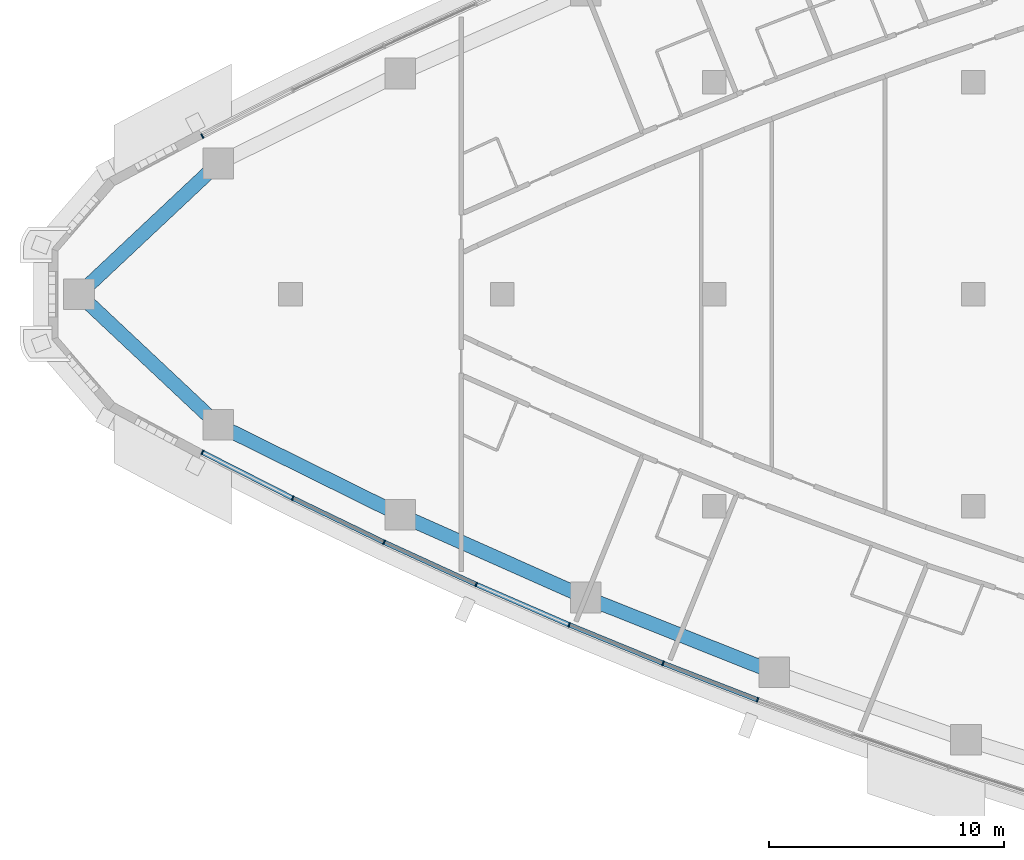
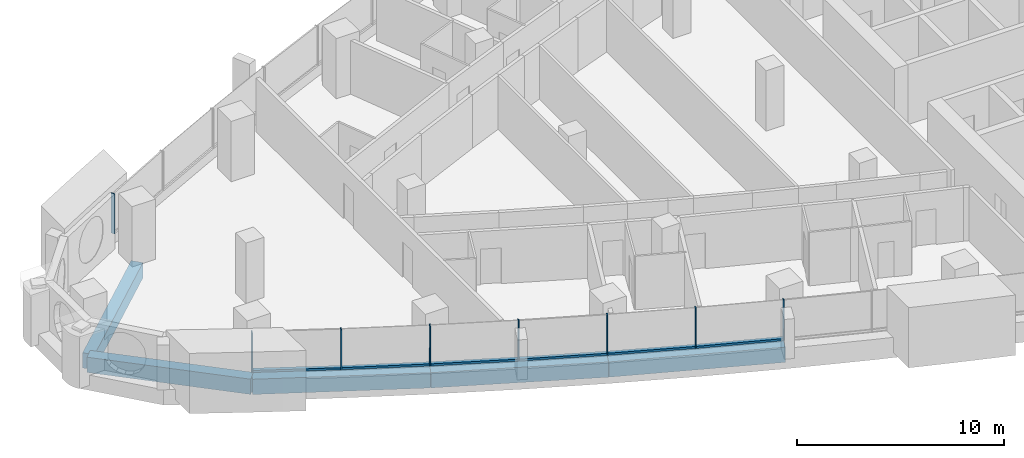
# One storey, part 2 of 17: 14 members, 5 beams, 4 elements without a shape of their own.
"""IFC4 building model written with IfcOpenShell, lengths in metres."""

from ifc_helpers import new_model, si_unit, direction, frame, origin, origin_2d, place, context, subcontext, project, spatial, rectangle, extrude, material, layer, layer_set, material_profile, profile_set, type_object, element, aggregate, save


model = new_model("IFC4")

# Units and contexts
model_context = context("Model", 3, precision=1e-05, world=origin(), true_north=direction((0.0, 1.0)))
body_context = subcontext(model_context, "Body", "Model", "MODEL_VIEW")
ifc_project = project(units=[si_unit("LENGTHUNIT", "METRE"), si_unit("AREAUNIT", "SQUARE_METRE"), si_unit("VOLUMEUNIT", "CUBIC_METRE"), si_unit("PLANEANGLEUNIT", "RADIAN"), si_unit("MASSUNIT", "GRAM", prefix="KILO")], contexts=[model_context])

# Site, building, storey
site_placement = place(None, origin())
site = spatial("IfcSite", under=ifc_project, at=site_placement, CompositionType="ELEMENT")
building_placement = place(site_placement, origin())
building = spatial("IfcBuilding", under=site, at=building_placement, Name="Ostrand Prow Hotel Tower", CompositionType="ELEMENT")
storey_placement = place(building_placement, frame((0.0, 0.0, 207.449951171875)))
storey = spatial("IfcBuildingStorey", under=building, at=storey_placement, Name="L52", CompositionType="ELEMENT", Elevation=207.449951171875)

# Beams
ifc_material_1 = material(Name="Concrete C60/75", Category="concrete")
ifc_material_profile_1 = material_profile(ifc_material_1, rectangle(XDim=0.60009765625, YDim=0.89990234375, at=origin_2d()), Name="RC 600x900")
ifc_profile_set_1 = profile_set([ifc_material_profile_1], Name="Concrete C60/75")
beam_type = type_object("IfcBeamType", Name="Edge beam 600x900 C60/75", PredefinedType="SPANDREL", material=ifc_profile_set_1)
beam_1_placement = place(storey_placement, frame((7.01708984375, 0.0, -0.75), z_axis=(0.728960507808, -0.684555752336, 0.0), x_axis=(0.684555752336, 0.728960507808, 0.0)))
element("IfcBeam", 1, at=beam_1_placement, inside=storey, type_object=beam_type, Name="Edge beam P-S1", PredefinedType="SPANDREL", context=body_context, shape_type="SweptSolid", body=[
    extrude(rectangle(XDim=0.60009765625, YDim=0.89990234375, at=origin_2d()), origin(), (0.0, 0.0, 1.0), 8.109619140625),
])
beam_2_placement = place(storey_placement, frame((12.9287109375, -5.551513671875, -0.75), z_axis=(0.896383774903, -0.443278837856, 0.0), x_axis=(0.443278837856, 0.896383774903, 0.0)))
element("IfcBeam", 2, at=beam_2_placement, inside=storey, type_object=beam_type, Name="Edge beam S1-S2", PredefinedType="SPANDREL", context=body_context, shape_type="SweptSolid", body=[
    extrude(rectangle(XDim=0.60009765625, YDim=0.89990234375, at=origin_2d()), origin(), (0.0, 0.0, 1.0), 8.62158203125),
])
for number, where, z_axis, x_axis, name in (
    (3, (20.656982421875, -9.373291015625, -0.75), (0.91364332073, -0.406516767779, 0.0), (0.406516767779, 0.91364332073, 0.0), "Edge beam S2-S3"),
    (4, (28.5341796875, -12.878173828125, -0.75), (0.929376173753, -0.36913402398, 0.0), (0.36913402398, 0.929376173753, 0.0), "Edge beam S3-S4"),
):
    element("IfcBeam", number, at=place(storey_placement, frame(where, z_axis=z_axis, x_axis=x_axis)), inside=storey, type_object=beam_type, Name=name, PredefinedType="SPANDREL", context=body_context, shape_type="SweptSolid", body=[
        extrude(rectangle(XDim=0.60009765625, YDim=0.89990234375, at=origin_2d()), origin(), (0.0, 0.0, 1.0), 8.621826171875),
    ])
beam_3_placement = place(storey_placement, frame((12.9287109375, 5.551513671875, -0.75), z_axis=(-0.728960507808, -0.684555752336, 0.0), x_axis=(0.684555752336, -0.728960507808, 0.0)))
element("IfcBeam", 5, at=beam_3_placement, inside=storey, type_object=beam_type, Name="Edge beam N6-P", PredefinedType="SPANDREL", context=body_context, shape_type="SweptSolid", body=[
    extrude(rectangle(XDim=0.60009765625, YDim=0.89990234375, at=origin_2d()), origin(), (0.0, 0.0, 1.0), 8.109619140625),
])

# Curtain wall, members
ifc_material_2 = material(Name="Insulated glass in bronze anodised frame", Category="glass")
ifc_layer = layer(ifc_material_2, 0.199951171875)
ifc_layer_set = layer_set([ifc_layer], Name="Insulated glass in bronze anodised frame")
curtain_wall_type = type_object("IfcCurtainWallType", Name="Strip curtain wall, fritted glass over bronze spandrel", PredefinedType="NOTDEFINED", material=ifc_layer_set)
curtain_wall_1_placement = place(storey_placement, origin())
curtain_wall_1 = element("IfcCurtainWall", 6, at=curtain_wall_1_placement, inside=storey, type_object=curtain_wall_type, Name="CW1 run CWS1", PredefinedType="NOTDEFINED")
ifc_material_3 = material(Name="Bronze anodised aluminium", Category="aluminium")
ifc_material_profile_2 = material_profile(ifc_material_3, rectangle(XDim=0.199951171875, YDim=0.06005859375, at=origin_2d()), Name="Mullion 60x200 bronze anodised aluminium")
ifc_profile_set_2 = profile_set([ifc_material_profile_2], Name="Bronze anodised aluminium")
member_type_1 = type_object("IfcMemberType", Name="Mullion 60x200 bronze anodised aluminium", PredefinedType="MULLION", material=ifc_profile_set_2)
member_1_placement = place(storey_placement, frame((12.255859375, -6.71240234375, 0.900146484375), z_axis=(0.0, 0.0, 1.0), x_axis=(0.452658828186, 0.891683792196, 0.0)))
member_1 = element("IfcMember", 7, at=member_1_placement, type_object=member_type_1, Name="CW1 mullion 1", PredefinedType="MULLION", context=body_context, shape_type="SweptSolid", body=[
    extrude(rectangle(XDim=0.199951171875, YDim=0.06005859375, at=origin_2d()), origin(), (0.0, 0.0, 1.0), 2.349853515625),
])
member_2_placement = place(storey_placement, frame((16.0947265625, -8.660888671875, 0.900146484375), z_axis=(0.0, 0.0, 1.0), x_axis=(0.434615027304, 0.90061633232, 0.0)))
member_2 = element("IfcMember", 8, at=member_2_placement, type_object=member_type_1, Name="CW1 mullion 2", PredefinedType="MULLION", context=body_context, shape_type="SweptSolid", body=[
    extrude(rectangle(XDim=0.199951171875, YDim=0.06005859375, at=origin_2d()), origin(), (0.0, 0.0, 1.0), 2.349853515625),
])
member_3_placement = place(storey_placement, frame((19.971923828125, -10.531982421875, 0.900146484375), z_axis=(0.0, 0.0, 1.0), x_axis=(0.434615027304, 0.90061633232, 0.0)))
member_3 = element("IfcMember", 9, at=member_3_placement, type_object=member_type_1, Name="CW1 mullion 3", PredefinedType="MULLION", context=body_context, shape_type="SweptSolid", body=[
    extrude(rectangle(XDim=0.199951171875, YDim=0.06005859375, at=origin_2d()), origin(), (0.0, 0.0, 1.0), 2.349853515625),
])

curtain_wall_2_placement = place(storey_placement, origin())
curtain_wall_2 = element("IfcCurtainWall", 10, at=curtain_wall_2_placement, inside=storey, type_object=curtain_wall_type, Name="CW1 run CWS2", PredefinedType="NOTDEFINED")
member_4_placement = place(storey_placement, frame((23.885986328125, -12.32470703125, 0.900146484375), z_axis=(0.0, 0.0, 1.0), x_axis=(0.398004671812, 0.917383388347, 0.0)))
member_4 = element("IfcMember", 11, at=member_4_placement, type_object=member_type_1, Name="CW1 mullion 2", PredefinedType="MULLION", context=body_context, shape_type="SweptSolid", body=[
    extrude(rectangle(XDim=0.199951171875, YDim=0.06005859375, at=origin_2d()), origin(), (0.0, 0.0, 1.0), 2.349853515625),
])
member_5_placement = place(storey_placement, frame((27.83544921875, -14.0380859375, 0.900146484375), z_axis=(0.0, 0.0, 1.0), x_axis=(0.398004671812, 0.917383388347, 0.0)))
member_5 = element("IfcMember", 12, at=member_5_placement, type_object=member_type_1, Name="CW1 mullion 3", PredefinedType="MULLION", context=body_context, shape_type="SweptSolid", body=[
    extrude(rectangle(XDim=0.199951171875, YDim=0.06005859375, at=origin_2d()), origin(), (0.0, 0.0, 1.0), 2.349853515625),
])

curtain_wall_3_placement = place(storey_placement, origin())
curtain_wall_3 = element("IfcCurtainWall", 13, at=curtain_wall_3_placement, inside=storey, type_object=curtain_wall_type, Name="CW1 run CWS3", PredefinedType="NOTDEFINED")
member_6_placement = place(storey_placement, frame((31.818603515625, -15.671630859375, 0.900146484375), z_axis=(0.0, 0.0, 1.0), x_axis=(0.360748970732, 0.932662950972, 0.0)))
member_6 = element("IfcMember", 14, at=member_6_placement, type_object=member_type_1, Name="CW1 mullion 2", PredefinedType="MULLION", context=body_context, shape_type="SweptSolid", body=[
    extrude(rectangle(XDim=0.199951171875, YDim=0.06005859375, at=origin_2d()), origin(), (0.0, 0.0, 1.0), 2.349853515625),
])
member_7_placement = place(storey_placement, frame((35.833740234375, -17.224609375, 0.900146484375), z_axis=(0.0, 0.0, 1.0), x_axis=(0.360748970732, 0.932662950972, 0.0)))
member_7 = element("IfcMember", 15, at=member_7_placement, type_object=member_type_1, Name="CW1 mullion 3", PredefinedType="MULLION", context=body_context, shape_type="SweptSolid", body=[
    extrude(rectangle(XDim=0.199951171875, YDim=0.06005859375, at=origin_2d()), origin(), (0.0, 0.0, 1.0), 2.349853515625),
])

# Curtain wall, member
curtain_wall_4_placement = place(storey_placement, origin())
curtain_wall_4 = element("IfcCurtainWall", 16, at=curtain_wall_4_placement, inside=storey, type_object=curtain_wall_type, Name="CW1 run CWN5", PredefinedType="NOTDEFINED")
member_8_placement = place(storey_placement, frame((12.255859375, 6.71240234375, 0.900146484375), z_axis=(0.0, 0.0, 1.0), x_axis=(0.452658828186, -0.891683792196, 0.0)))
member_8 = element("IfcMember", 17, at=member_8_placement, type_object=member_type_1, Name="CW1 mullion 3", PredefinedType="MULLION", context=body_context, shape_type="SweptSolid", body=[
    extrude(rectangle(XDim=0.199951171875, YDim=0.06005859375, at=origin_2d()), origin(), (0.0, 0.0, 1.0), 2.349853515625),
])
aggregate(curtain_wall_4, [member_8])

# Member
ifc_material_4 = material(Name="Bronze anodised aluminium", Category="aluminium")
ifc_material_profile_3 = material_profile(ifc_material_4, rectangle(XDim=0.199951171875, YDim=0.1201171875, at=origin_2d()), Name="Transom 120x200 bronze anodised aluminium")
ifc_profile_set_3 = profile_set([ifc_material_profile_3], Name="Bronze anodised aluminium")
member_type_2 = type_object("IfcMemberType", Name="Transom 120x200 bronze anodised aluminium", PredefinedType="USERDEFINED", material=ifc_profile_set_3)
member_9_placement = place(storey_placement, frame((12.28271484375, -6.725830078125, 0.9599609375), z_axis=(0.891672840777, -0.452680400526, 0.0), x_axis=(0.452680400526, 0.891672840777, 0.0)))
member_9 = element("IfcMember", 18, at=member_9_placement, type_object=member_type_2, Name="CW1 transom 1.1", ObjectType="TRANSOM", PredefinedType="USERDEFINED", context=body_context, shape_type="SweptSolid", body=[
    extrude(rectangle(XDim=0.199951171875, YDim=0.1201171875, at=origin_2d()), origin(), (0.0, 0.0, 1.0), 4.2451171875),
])

member_10_placement = place(storey_placement, frame((16.12158203125, -8.674072265625, 0.9599609375), z_axis=(0.900619174345, -0.434609137965, 0.0), x_axis=(0.434609137965, 0.900619174345, 0.0)))
member_10 = element("IfcMember", 19, at=member_10_placement, type_object=member_type_2, Name="CW1 transom 2.1", ObjectType="TRANSOM", PredefinedType="USERDEFINED", context=body_context, shape_type="SweptSolid", body=[
    extrude(rectangle(XDim=0.199951171875, YDim=0.1201171875, at=origin_2d()), origin(), (0.0, 0.0, 1.0), 4.2451171875),
])

aggregate(curtain_wall_1, [member_1, member_2, member_3, member_9, member_10])

member_11_placement = place(storey_placement, frame((19.999267578125, -10.54443359375, 0.9599609375), z_axis=(0.909159196143, -0.416448743628, 0.0), x_axis=(0.416448743628, 0.909159196143, 0.0)))
member_11 = element("IfcMember", 20, at=member_11_placement, type_object=member_type_2, Name="CW1 transom 1.1", ObjectType="TRANSOM", PredefinedType="USERDEFINED", context=body_context, shape_type="SweptSolid", body=[
    extrude(rectangle(XDim=0.199951171875, YDim=0.1201171875, at=origin_2d()), origin(), (0.0, 0.0, 1.0), 4.244873046875),
])

member_12_placement = place(storey_placement, frame((23.91357421875, -12.336669921875, 0.9599609375), z_axis=(0.917389785482, -0.397989926371, 0.0), x_axis=(0.397989926371, 0.917389785482, 0.0)))
member_12 = element("IfcMember", 21, at=member_12_placement, type_object=member_type_2, Name="CW1 transom 2.1", ObjectType="TRANSOM", PredefinedType="USERDEFINED", context=body_context, shape_type="SweptSolid", body=[
    extrude(rectangle(XDim=0.199951171875, YDim=0.1201171875, at=origin_2d()), origin(), (0.0, 0.0, 1.0), 4.244873046875),
])

aggregate(curtain_wall_2, [member_4, member_5, member_11, member_12])

member_13_placement = place(storey_placement, frame((27.863037109375, -14.049560546875, 0.9599609375), z_axis=(0.925213143858, -0.379447807258, 0.0), x_axis=(0.379447807258, 0.925213143858, 0.0)))
member_13 = element("IfcMember", 22, at=member_13_placement, type_object=member_type_2, Name="CW1 transom 1.1", ObjectType="TRANSOM", PredefinedType="USERDEFINED", context=body_context, shape_type="SweptSolid", body=[
    extrude(rectangle(XDim=0.199951171875, YDim=0.1201171875, at=origin_2d()), origin(), (0.0, 0.0, 1.0), 4.2451171875),
])

member_14_placement = place(storey_placement, frame((31.846435546875, -15.6826171875, 0.9599609375), z_axis=(0.932675482501, -0.360716570651, 0.0), x_axis=(0.360716570651, 0.932675482501, 0.0)))
member_14 = element("IfcMember", 23, at=member_14_placement, type_object=member_type_2, Name="CW1 transom 2.1", ObjectType="TRANSOM", PredefinedType="USERDEFINED", context=body_context, shape_type="SweptSolid", body=[
    extrude(rectangle(XDim=0.199951171875, YDim=0.1201171875, at=origin_2d()), origin(), (0.0, 0.0, 1.0), 4.2451171875),
])

aggregate(curtain_wall_3, [member_6, member_7, member_13, member_14])

save(model, "model.ifc")
